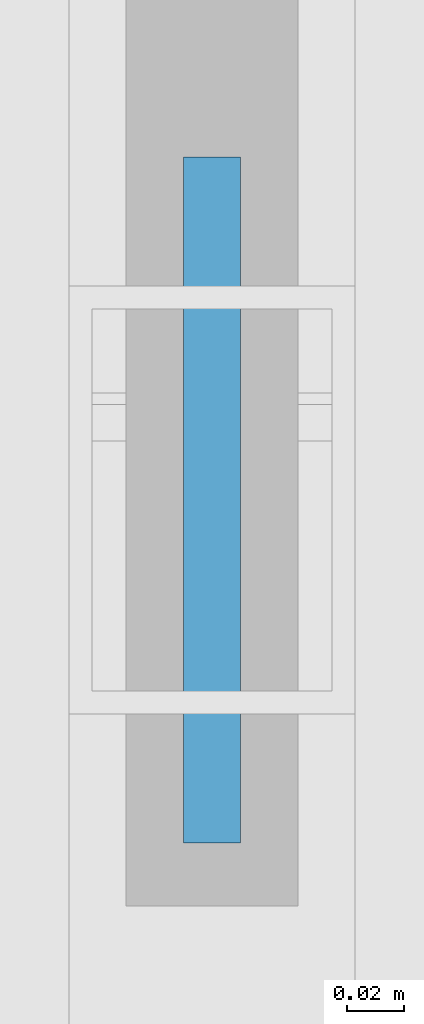
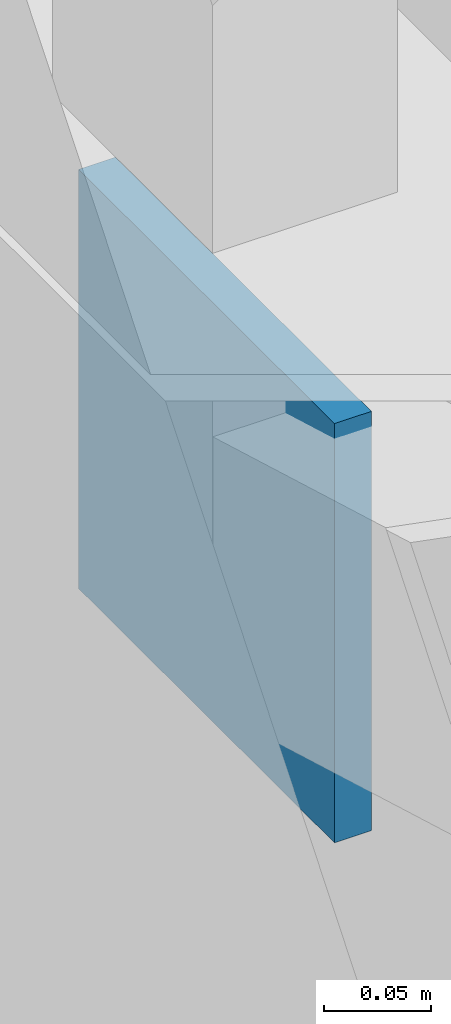
# One storey, part 93 of 138: 1 plate.
"""IFC4 building model written with IfcOpenShell, lengths in metres."""

from ifc_helpers import new_model, si_unit, direction, frame, origin, origin_2d, place, context, subcontext, project, spatial, rectangle, extrude, material, layer, layer_set, type_object, element, save


model = new_model("IFC4")

# Units and contexts
model_context = context("Model", 3, precision=1e-05, world=origin(), true_north=direction((0.0, 1.0)))
body_context = subcontext(model_context, "Body", "Model", "MODEL_VIEW")
ifc_project = project(units=[si_unit("LENGTHUNIT", "METRE"), si_unit("AREAUNIT", "SQUARE_METRE"), si_unit("VOLUMEUNIT", "CUBIC_METRE"), si_unit("PLANEANGLEUNIT", "RADIAN"), si_unit("MASSUNIT", "GRAM", prefix="KILO"), si_unit("THERMODYNAMICTEMPERATUREUNIT", "KELVIN"), si_unit("POWERUNIT", "WATT")], contexts=[model_context])

# Site, building, storey
site_placement = place(None, origin())
site = spatial("IfcSite", under=ifc_project, at=site_placement, CompositionType="ELEMENT")
building_placement = place(site_placement, origin())
building = spatial("IfcBuilding", under=site, at=building_placement, Name="Tavuni Mirador Residences", CompositionType="ELEMENT")
storey_placement = place(building_placement, origin())
storey = spatial("IfcBuildingStorey", under=building, at=storey_placement, Name="L00", CompositionType="ELEMENT", Elevation=0.0)

# Plate
ifc_material = material(Name="Structural steel S355", Category="steel")
ifc_layer = layer(ifc_material, 0.01806640625, Name="Structural steel S355", Category="steel")
ifc_layer_set = layer_set([ifc_layer], Name="Structural steel S355")
plate_type = type_object("IfcPlateType", Name="PLT-GP05", PredefinedType="USERDEFINED", material=ifc_layer_set)
plate_placement = place(storey_placement, frame((118.800048828125, 134.652099609375, 3.49560546875), z_axis=(0.0, 0.0, 1.0), x_axis=(1.0, 0.0, 0.0)))
element("IfcPlate", 1, at=plate_placement, inside=storey, type_object=plate_type, Name="ARCH-BLKD-E-06-GQ2", ObjectType="GUSSET PLATE", PredefinedType="USERDEFINED", context=body_context, shape_type="SweptSolid", body=[
    extrude(rectangle(XDim=0.02001953125, YDim=0.239990234375, at=origin_2d()), origin(), (0.0, 0.0, 1.0), 0.239990234375),
])

save(model, "model.ifc")
